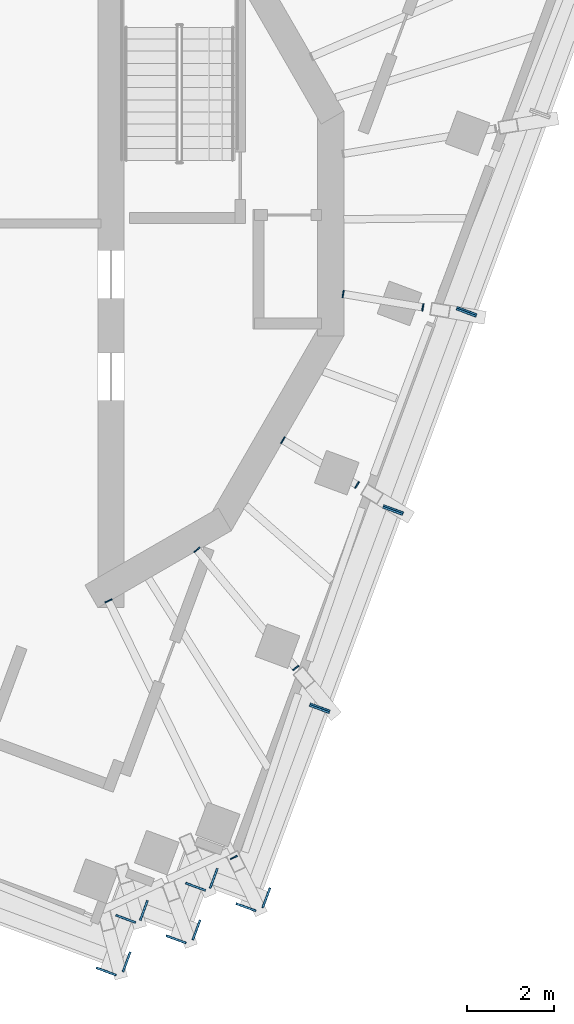
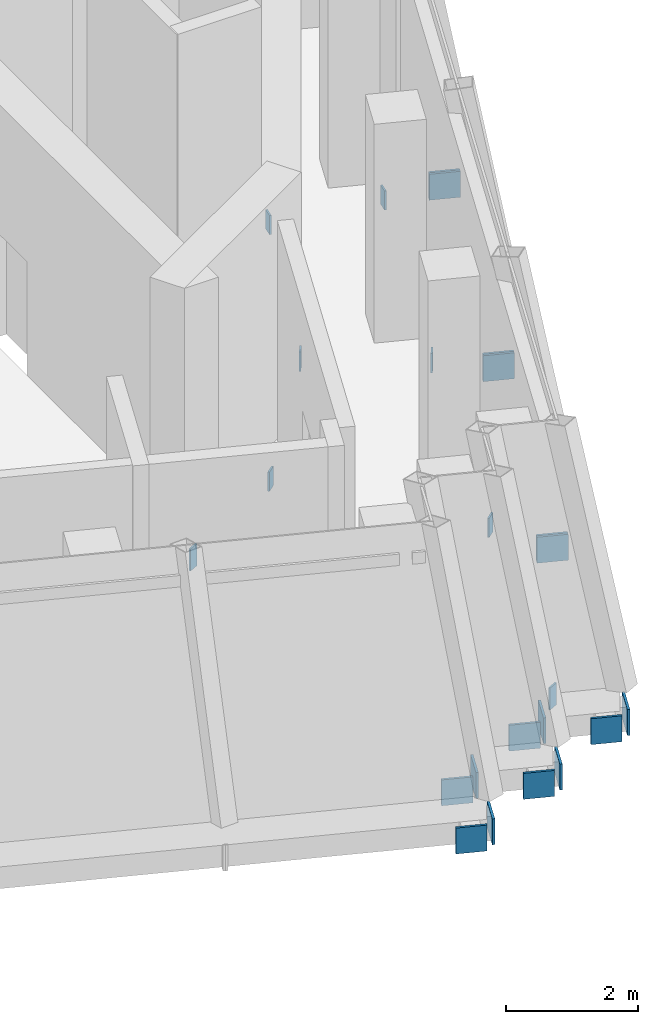
# One storey, part 8 of 12: 24 discrete accessories, 9 elements without a shape of their own.
"""IFC4 building model written with IfcOpenShell, lengths in metres."""

from ifc_helpers import new_model, si_unit, direction, frame, origin, place, context, subcontext, project, spatial, polyline, outline, extrude, material, layer, layer_set, type_object, element, aggregate, save


model = new_model("IFC4")

# Units and contexts
model_context = context("Model", 3, precision=1e-05, world=origin(), true_north=direction((0.0, 1.0)))
body_context = subcontext(model_context, "Body", "Model", "MODEL_VIEW")
ifc_project = project(units=[si_unit("LENGTHUNIT", "METRE"), si_unit("AREAUNIT", "SQUARE_METRE"), si_unit("VOLUMEUNIT", "CUBIC_METRE"), si_unit("PLANEANGLEUNIT", "RADIAN"), si_unit("MASSUNIT", "GRAM", prefix="KILO")], contexts=[model_context])

# Site, building, storey
site_placement = place(None, origin())
site = spatial("IfcSite", under=ifc_project, at=site_placement, CompositionType="ELEMENT")
building_placement = place(site_placement, origin())
building = spatial("IfcBuilding", under=site, at=building_placement, Name="Cantera Rosa Tower", CompositionType="ELEMENT")
storey_placement = place(building_placement, frame((0.0, 0.0, 360.699951171875)))
storey = spatial("IfcBuildingStorey", under=building, at=storey_placement, Name="L81", CompositionType="ELEMENT", Elevation=360.699951171875)

# Curtain wall, discrete accessory
ifc_material_1 = material(Name="Aluminium frame with clear glass", Category="aluminium")
curtain_wall_type = type_object("IfcCurtainWallType", Name="CW4 CROWN GLAZING", PredefinedType="NOTDEFINED", material=ifc_material_1)
curtain_wall_1_placement = place(storey_placement, origin())
curtain_wall_1 = element("IfcCurtainWall", 1, at=curtain_wall_1_placement, inside=storey, type_object=curtain_wall_type, Name="CW4 L81-23", PredefinedType="NOTDEFINED")
ifc_material_2 = material(Name="Steel S355J2 (EN 10025-2)", Category="steel")
ifc_layer = layer(ifc_material_2, 0.030029296875)
ifc_layer_set = layer_set([ifc_layer], Name="NODE PLATE 30")
discrete_accessory_type = type_object("IfcDiscreteAccessoryType", Name="NODE PLATE 30", PredefinedType="ANCHORPLATE", material=ifc_layer_set)
discrete_accessory_1_placement = place(storey_placement, frame((4.76123046875, -16.7822265625, -0.43505859375), z_axis=(0.937576914778, -0.347777987911, 0.0), x_axis=(-0.347777987911, -0.937576914778, 0.0)))
discrete_accessory_1 = element("IfcDiscreteAccessory", 2, at=discrete_accessory_1_placement, type_object=discrete_accessory_type, Name="END PLATE TE1", PredefinedType="ANCHORPLATE", context=body_context, shape_type="SweptSolid", body=[
    extrude(outline(polyline([(0.0, 0.0), (0.4801689391068604, 0.0), (0.4801689391068604, 0.47998046875), (0.0, 0.47998046875), (0.0, 0.0)])), origin(), (0.0, 0.0, -1.0), 0.0400390625),
])
aggregate(curtain_wall_1, [discrete_accessory_1])

# Curtain wall, discrete accessories
curtain_wall_2_placement = place(storey_placement, origin())
curtain_wall_2 = element("IfcCurtainWall", 3, at=curtain_wall_2_placement, inside=storey, type_object=curtain_wall_type, Name="CW4 L81-24", PredefinedType="NOTDEFINED")
discrete_accessory_2_placement = place(storey_placement, frame((4.408935546875, -17.320556640625, -0.43505859375), z_axis=(-0.347777987911, -0.937576914778, 0.0), x_axis=(-0.937576914778, 0.347777987911, 0.0)))
discrete_accessory_2 = element("IfcDiscreteAccessory", 4, at=discrete_accessory_2_placement, type_object=discrete_accessory_type, Name="END PLATE TE0", PredefinedType="ANCHORPLATE", context=body_context, shape_type="SweptSolid", body=[
    extrude(outline(polyline([(0.0, 0.0), (0.4801689391068604, 0.0), (0.4801689391068604, 0.47998046875), (0.0, 0.47998046875), (0.0, 0.0)])), origin(), (0.0, 0.0, -1.0), 0.0400390625),
])
discrete_accessory_3_placement = place(storey_placement, frame((4.42138671875, -15.905517578125, -0.43505859375), z_axis=(0.347496626235, 0.937681233018, 0.0), x_axis=(0.937681233018, -0.347496626235, 0.0)))
discrete_accessory_3 = element("IfcDiscreteAccessory", 5, at=discrete_accessory_3_placement, type_object=discrete_accessory_type, Name="END PLATE TE1", PredefinedType="ANCHORPLATE", context=body_context, shape_type="SweptSolid", body=[
    extrude(outline(polyline([(0.0, 0.0), (0.4798551533622547, 0.0), (0.4798551533622547, 0.47998046875), (0.0, 0.47998046875), (0.0, 0.0)])), origin(), (0.0, 0.0, -1.0), 0.0400390625),
])
aggregate(curtain_wall_2, [discrete_accessory_2, discrete_accessory_3])

curtain_wall_3_placement = place(storey_placement, origin())
curtain_wall_3 = element("IfcCurtainWall", 6, at=curtain_wall_3_placement, inside=storey, type_object=curtain_wall_type, Name="CW4 L81-25", PredefinedType="NOTDEFINED")
discrete_accessory_4_placement = place(storey_placement, frame((4.954833984375, -16.031982421875, -0.43505859375), z_axis=(-0.937681233018, 0.347496626235, 0.0), x_axis=(0.347496626235, 0.937681233018, 0.0)))
discrete_accessory_4 = element("IfcDiscreteAccessory", 7, at=discrete_accessory_4_placement, type_object=discrete_accessory_type, Name="END PLATE TE0", PredefinedType="ANCHORPLATE", context=body_context, shape_type="SweptSolid", body=[
    extrude(outline(polyline([(0.0, 0.0), (0.4798551533622547, 0.0), (0.4798551533622547, 0.47998046875), (0.0, 0.47998046875), (0.0, 0.0)])), origin(), (0.0, 0.0, -1.0), 0.0400390625),
])
discrete_accessory_5_placement = place(storey_placement, frame((6.369384765625, -16.04443359375, -0.43505859375), z_axis=(0.937742626232, -0.347330918501, 0.0), x_axis=(-0.347330918501, -0.937742626232, 0.0)))
discrete_accessory_5 = element("IfcDiscreteAccessory", 8, at=discrete_accessory_5_placement, type_object=discrete_accessory_type, Name="END PLATE TE1", PredefinedType="ANCHORPLATE", context=body_context, shape_type="SweptSolid", body=[
    extrude(outline(polyline([(0.0, 0.0), (0.4800840869406107, 0.0), (0.4800840869406107, 0.47998046875), (0.0, 0.47998046875), (0.0, 0.0)])), origin(), (0.0, 0.0, -1.0), 0.0400390625),
])
aggregate(curtain_wall_3, [discrete_accessory_4, discrete_accessory_5])

curtain_wall_4_placement = place(storey_placement, origin())
curtain_wall_4 = element("IfcCurtainWall", 9, at=curtain_wall_4_placement, inside=storey, type_object=curtain_wall_type, Name="CW4 L81-26", PredefinedType="NOTDEFINED")
discrete_accessory_6_placement = place(storey_placement, frame((6.01708984375, -16.5810546875, -0.43505859375), z_axis=(-0.347943850259, -0.93751537431, 0.0), x_axis=(-0.93751537431, 0.347943850259, 0.0)))
discrete_accessory_6 = element("IfcDiscreteAccessory", 10, at=discrete_accessory_6_placement, type_object=discrete_accessory_type, Name="END PLATE TE0", PredefinedType="ANCHORPLATE", context=body_context, shape_type="SweptSolid", body=[
    extrude(outline(polyline([(0.0, 0.0), (0.47994004600337425, 0.0), (0.47994004600337425, 0.47998046875), (0.0, 0.47998046875), (0.0, 0.0)])), origin(), (0.0, 0.0, -1.0), 0.0400390625),
])
discrete_accessory_7_placement = place(storey_placement, frame((6.029541015625, -15.166015625, -0.43505859375), z_axis=(0.347943850259, 0.93751537431, 0.0), x_axis=(0.93751537431, -0.347943850259, 0.0)))
discrete_accessory_7 = element("IfcDiscreteAccessory", 11, at=discrete_accessory_7_placement, type_object=discrete_accessory_type, Name="END PLATE TE1", PredefinedType="ANCHORPLATE", context=body_context, shape_type="SweptSolid", body=[
    extrude(outline(polyline([(0.0, 0.0), (0.47994004600337425, 0.0), (0.47994004600337425, 0.47998046875), (0.0, 0.47998046875), (0.0, 0.0)])), origin(), (0.0, 0.0, -1.0), 0.0400390625),
])
aggregate(curtain_wall_4, [discrete_accessory_6, discrete_accessory_7])

curtain_wall_5_placement = place(storey_placement, origin())
curtain_wall_5 = element("IfcCurtainWall", 12, at=curtain_wall_5_placement, inside=storey, type_object=curtain_wall_type, Name="CW4 L81-27", PredefinedType="NOTDEFINED")
discrete_accessory_8_placement = place(storey_placement, frame((6.563232421875, -15.294189453125, -0.43505859375), z_axis=(-0.937742626232, 0.347330918501, 0.0), x_axis=(0.347330918501, 0.937742626232, 0.0)))
discrete_accessory_8 = element("IfcDiscreteAccessory", 13, at=discrete_accessory_8_placement, type_object=discrete_accessory_type, Name="END PLATE TE0", PredefinedType="ANCHORPLATE", context=body_context, shape_type="SweptSolid", body=[
    extrude(outline(polyline([(0.0, 0.0), (0.4800840869406107, 0.0), (0.4800840869406107, 0.47998046875), (0.0, 0.47998046875), (0.0, 0.0)])), origin(), (0.0, 0.0, -1.0), 0.0400390625),
])
discrete_accessory_9_placement = place(storey_placement, frame((7.97802734375, -15.306396484375, -0.43505859375), z_axis=(0.937742626232, -0.347330918501, 0.0), x_axis=(-0.347330918501, -0.937742626232, 0.0)))
discrete_accessory_9 = element("IfcDiscreteAccessory", 14, at=discrete_accessory_9_placement, type_object=discrete_accessory_type, Name="END PLATE TE1", PredefinedType="ANCHORPLATE", context=body_context, shape_type="SweptSolid", body=[
    extrude(outline(polyline([(0.0, 0.0), (0.4800840869406107, 0.0), (0.4800840869406107, 0.47998046875), (0.0, 0.47998046875), (0.0, 0.0)])), origin(), (0.0, 0.0, -1.0), 0.0400390625),
])
aggregate(curtain_wall_5, [discrete_accessory_8, discrete_accessory_9])

curtain_wall_6_placement = place(storey_placement, origin())
curtain_wall_6 = element("IfcCurtainWall", 15, at=curtain_wall_6_placement, inside=storey, type_object=curtain_wall_type, Name="CW4 L81-28", PredefinedType="NOTDEFINED")
discrete_accessory_10_placement = place(storey_placement, frame((7.625244140625, -15.841552734375, -0.43505859375), z_axis=(-0.347330918501, -0.937742626232, 0.0), x_axis=(-0.937742626232, 0.347330918501, 0.0)))
discrete_accessory_10 = element("IfcDiscreteAccessory", 16, at=discrete_accessory_10_placement, type_object=discrete_accessory_type, Name="END PLATE TE0", PredefinedType="ANCHORPLATE", context=body_context, shape_type="SweptSolid", body=[
    extrude(outline(polyline([(0.0, 0.0), (0.4800840869406107, 0.0), (0.4800840869406107, 0.47998046875), (0.0, 0.47998046875), (0.0, 0.0)])), origin(), (0.0, 0.0, -1.0), 0.0400390625),
])
discrete_accessory_11_placement = place(storey_placement, frame((8.893798828125, -11.037109375, -0.43505859375), z_axis=(0.347496626235, 0.937681233018, 0.0), x_axis=(0.937681233018, -0.347496626235, 0.0)))
discrete_accessory_11 = element("IfcDiscreteAccessory", 17, at=discrete_accessory_11_placement, type_object=discrete_accessory_type, Name="END PLATE TE1", PredefinedType="ANCHORPLATE", context=body_context, shape_type="SweptSolid", body=[
    extrude(outline(polyline([(0.0, 0.0), (0.4798551533622547, 0.0), (0.4798551533622547, 0.47998046875), (0.0, 0.47998046875), (0.0, 0.0)])), origin(), (0.0, 0.0, -1.0), 0.0400390625),
])
aggregate(curtain_wall_6, [discrete_accessory_10, discrete_accessory_11])

curtain_wall_7_placement = place(storey_placement, origin())
curtain_wall_7 = element("IfcCurtainWall", 18, at=curtain_wall_7_placement, inside=storey, type_object=curtain_wall_type, Name="CW4 L81-29", PredefinedType="NOTDEFINED")
discrete_accessory_12_placement = place(storey_placement, frame((9.31591796875, -11.27880859375, -0.43505859375), z_axis=(-0.347496626235, -0.937681233018, 0.0), x_axis=(-0.937681233018, 0.347496626235, 0.0)))
discrete_accessory_12 = element("IfcDiscreteAccessory", 19, at=discrete_accessory_12_placement, type_object=discrete_accessory_type, Name="END PLATE TE0", PredefinedType="ANCHORPLATE", context=body_context, shape_type="SweptSolid", body=[
    extrude(outline(polyline([(0.0, 0.0), (0.4798551533622547, 0.0), (0.4798551533622547, 0.47998046875), (0.0, 0.47998046875), (0.0, 0.0)])), origin(), (0.0, 0.0, -1.0), 0.0400390625),
])
discrete_accessory_13_placement = place(storey_placement, frame((10.58447265625, -6.474365234375, -0.43505859375), z_axis=(0.347330918501, 0.937742626232, 0.0), x_axis=(0.937742626232, -0.347330918501, 0.0)))
discrete_accessory_13 = element("IfcDiscreteAccessory", 20, at=discrete_accessory_13_placement, type_object=discrete_accessory_type, Name="END PLATE TE1", PredefinedType="ANCHORPLATE", context=body_context, shape_type="SweptSolid", body=[
    extrude(outline(polyline([(0.0, 0.0), (0.4800840869406107, 0.0), (0.4800840869406107, 0.47998046875), (0.0, 0.47998046875), (0.0, 0.0)])), origin(), (0.0, 0.0, -1.0), 0.0400390625),
])
aggregate(curtain_wall_7, [discrete_accessory_12, discrete_accessory_13])

curtain_wall_8_placement = place(storey_placement, origin())
curtain_wall_8 = element("IfcCurtainWall", 21, at=curtain_wall_8_placement, inside=storey, type_object=curtain_wall_type, Name="CW4 L81-30", PredefinedType="NOTDEFINED")
discrete_accessory_14_placement = place(storey_placement, frame((11.0068359375, -6.716064453125, -0.43505859375), z_axis=(-0.347330918501, -0.937742626232, 0.0), x_axis=(-0.937742626232, 0.347330918501, 0.0)))
discrete_accessory_14 = element("IfcDiscreteAccessory", 22, at=discrete_accessory_14_placement, type_object=discrete_accessory_type, Name="END PLATE TE0", PredefinedType="ANCHORPLATE", context=body_context, shape_type="SweptSolid", body=[
    extrude(outline(polyline([(0.0, 0.0), (0.4800840869406107, 0.0), (0.4800840869406107, 0.47998046875), (0.0, 0.47998046875), (0.0, 0.0)])), origin(), (0.0, 0.0, -1.0), 0.0400390625),
])
discrete_accessory_15_placement = place(storey_placement, frame((12.275390625, -1.91162109375, -0.43505859375), z_axis=(0.347496626235, 0.937681233018, 0.0), x_axis=(0.937681233018, -0.347496626235, 0.0)))
discrete_accessory_15 = element("IfcDiscreteAccessory", 23, at=discrete_accessory_15_placement, type_object=discrete_accessory_type, Name="END PLATE TE1", PredefinedType="ANCHORPLATE", context=body_context, shape_type="SweptSolid", body=[
    extrude(outline(polyline([(0.0, 0.0), (0.4798551533622547, 0.0), (0.4798551533622547, 0.47998046875), (0.0, 0.47998046875), (0.0, 0.0)])), origin(), (0.0, 0.0, -1.0), 0.0400390625),
])
aggregate(curtain_wall_8, [discrete_accessory_14, discrete_accessory_15])

# Curtain wall, discrete accessory
curtain_wall_9_placement = place(storey_placement, origin())
curtain_wall_9 = element("IfcCurtainWall", 24, at=curtain_wall_9_placement, inside=storey, type_object=curtain_wall_type, Name="CW4 L81-31", PredefinedType="NOTDEFINED")
discrete_accessory_16_placement = place(storey_placement, frame((12.69775390625, -2.1533203125, -0.43505859375), z_axis=(-0.347330918501, -0.937742626232, 0.0), x_axis=(-0.937742626232, 0.347330918501, 0.0)))
discrete_accessory_16 = element("IfcDiscreteAccessory", 25, at=discrete_accessory_16_placement, type_object=discrete_accessory_type, Name="END PLATE TE0", PredefinedType="ANCHORPLATE", context=body_context, shape_type="SweptSolid", body=[
    extrude(outline(polyline([(0.0, 0.0), (0.4800840869406107, 0.0), (0.4800840869406107, 0.47998046875), (0.0, 0.47998046875), (0.0, 0.0)])), origin(), (0.0, 0.0, -1.0), 0.0400390625),
])
aggregate(curtain_wall_9, [discrete_accessory_16])

# Discrete accessories
discrete_accessory_17_placement = place(storey_placement, frame((0.0, 0.0, -0.85595703125)))
element("IfcDiscreteAccessory", 26, at=discrete_accessory_17_placement, inside=storey, type_object=discrete_accessory_type, Name="END PLATE CG-Z6-11 L81 A", PredefinedType="ANCHORPLATE", context=body_context, shape_type="SweptSolid", body=[
    extrude(outline(polyline([(7.200927734375, -14.540283203125), (7.214111328125, -14.567138671875), (7.05419921875, -14.645263671875), (7.041015625, -14.618408203125), (7.200927734375, -14.540283203125)])), origin(), (0.0, 0.0, 1.0), 0.406005859375),
])
discrete_accessory_18_placement = place(storey_placement, frame((0.0, 0.0, -0.85595703125)))
element("IfcDiscreteAccessory", 27, at=discrete_accessory_18_placement, inside=storey, type_object=discrete_accessory_type, Name="END PLATE CG-Z6-11 L81 B", PredefinedType="ANCHORPLATE", context=body_context, shape_type="SweptSolid", body=[
    extrude(outline(polyline([(4.16943359375, -8.7392578125), (4.15625, -8.712158203125), (4.316162109375, -8.634033203125), (4.329345703125, -8.6611328125), (4.16943359375, -8.7392578125)])), origin(), (0.0, 0.0, 1.0), 0.406005859375),
])
discrete_accessory_19_placement = place(storey_placement, frame((0.0, 0.0, -0.805908203125)))
element("IfcDiscreteAccessory", 28, at=discrete_accessory_19_placement, inside=storey, type_object=discrete_accessory_type, Name="END PLATE CG-Z6-12 L81 A", PredefinedType="ANCHORPLATE", context=body_context, shape_type="SweptSolid", body=[
    extrude(outline(polyline([(8.609619140625, -10.16552734375), (8.62890625, -10.188720703125), (8.49755859375, -10.29833984375), (8.478271484375, -10.275390625), (8.609619140625, -10.16552734375)])), origin(), (0.0, 0.0, 1.0), 0.35595703125),
])
discrete_accessory_20_placement = place(storey_placement, frame((0.0, 0.0, -0.805908203125)))
element("IfcDiscreteAccessory", 29, at=discrete_accessory_20_placement, inside=storey, type_object=discrete_accessory_type, Name="END PLATE CG-Z6-12 L81 B", PredefinedType="ANCHORPLATE", context=body_context, shape_type="SweptSolid", body=[
    extrude(outline(polyline([(6.22314453125, -7.57763671875), (6.203857421875, -7.554443359375), (6.335205078125, -7.44482421875), (6.354248046875, -7.4677734375), (6.22314453125, -7.57763671875)])), origin(), (0.0, 0.0, 1.0), 0.35595703125),
])
discrete_accessory_21_placement = place(storey_placement, frame((0.0, 0.0, -0.805908203125)))
element("IfcDiscreteAccessory", 30, at=discrete_accessory_21_placement, inside=storey, type_object=discrete_accessory_type, Name="END PLATE CG-Z6-13 L81 A", PredefinedType="ANCHORPLATE", context=body_context, shape_type="SweptSolid", body=[
    extrude(outline(polyline([(9.99609375, -5.93701171875), (10.021728515625, -5.95263671875), (9.933349609375, -6.098876953125), (9.90771484375, -6.08349609375), (9.99609375, -5.93701171875)])), origin(), (0.0, 0.0, 1.0), 0.35595703125),
])
discrete_accessory_22_placement = place(storey_placement, frame((0.0, 0.0, -0.805908203125)))
element("IfcDiscreteAccessory", 31, at=discrete_accessory_22_placement, inside=storey, type_object=discrete_accessory_type, Name="END PLATE CG-Z6-13 L81 B", PredefinedType="ANCHORPLATE", context=body_context, shape_type="SweptSolid", body=[
    extrude(outline(polyline([(8.225830078125, -5.067626953125), (8.2001953125, -5.05224609375), (8.28857421875, -4.90576171875), (8.314208984375, -4.92138671875), (8.225830078125, -5.067626953125)])), origin(), (0.0, 0.0, 1.0), 0.35595703125),
])
discrete_accessory_23_placement = place(storey_placement, frame((0.0, 0.0, -0.805908203125)))
element("IfcDiscreteAccessory", 32, at=discrete_accessory_23_placement, inside=storey, type_object=discrete_accessory_type, Name="END PLATE CG-Z6-14 L81 A", PredefinedType="ANCHORPLATE", context=body_context, shape_type="SweptSolid", body=[
    extrude(outline(polyline([(11.479248046875, -1.842041015625), (11.509033203125, -1.846923828125), (11.480712890625, -2.015625), (11.450927734375, -2.0107421875), (11.479248046875, -1.842041015625)])), origin(), (0.0, 0.0, 1.0), 0.35595703125),
])
discrete_accessory_24_placement = place(storey_placement, frame((0.0, 0.0, -0.805908203125)))
element("IfcDiscreteAccessory", 33, at=discrete_accessory_24_placement, inside=storey, type_object=discrete_accessory_type, Name="END PLATE CG-Z6-14 L81 B", PredefinedType="ANCHORPLATE", context=body_context, shape_type="SweptSolid", body=[
    extrude(outline(polyline([(9.64501953125, -1.707275390625), (9.615478515625, -1.7021484375), (9.643798828125, -1.53369140625), (9.67333984375, -1.53857421875), (9.64501953125, -1.707275390625)])), origin(), (0.0, 0.0, 1.0), 0.35595703125),
])

save(model, "model.ifc")
